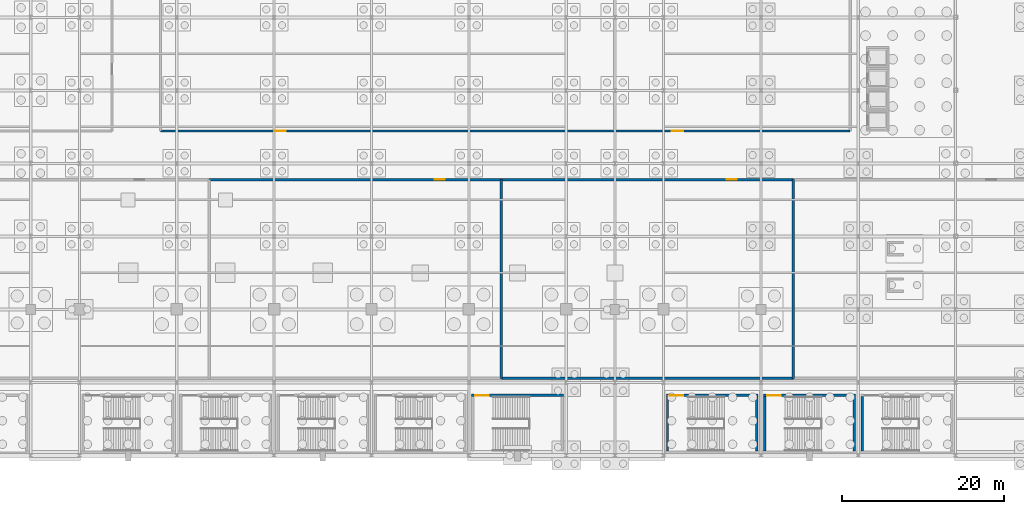
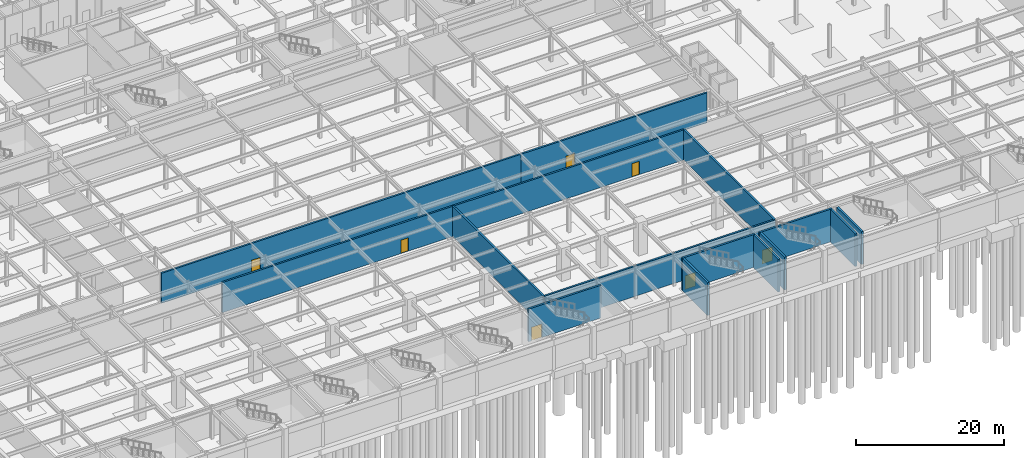
# One storey, part 27 of 47: 15 walls, 7 doors, 7 openings.
"""IFC4 building model written with IfcOpenShell, lengths in metres."""

from ifc_helpers import new_model, si_unit, direction, frame, frame_2d, origin, place, context, subcontext, project, spatial, rectangle, extrude, material, layer, layer_set, type_object, element, fill, save


model = new_model("IFC4")

# Units and contexts
model_context = context("Model", 3, precision=1e-05, world=origin(), true_north=direction((0.0, 1.0)))
body_context = subcontext(model_context, "Body", "Model", "MODEL_VIEW")
ifc_project = project(units=[si_unit("LENGTHUNIT", "METRE"), si_unit("AREAUNIT", "SQUARE_METRE"), si_unit("VOLUMEUNIT", "CUBIC_METRE"), si_unit("PLANEANGLEUNIT", "RADIAN"), si_unit("MASSUNIT", "GRAM", prefix="KILO")], contexts=[model_context])

# Site, building, storey
site_placement = place(None, origin())
site = spatial("IfcSite", under=ifc_project, at=site_placement, CompositionType="ELEMENT")
building_placement = place(site_placement, origin())
building = spatial("IfcBuilding", under=site, at=building_placement, Name="Kaldorvane Square Convention Centre", CompositionType="ELEMENT")
storey_placement = place(building_placement, frame((0.0, 0.0, -5.399993896484375)))
storey = spatial("IfcBuildingStorey", under=building, at=storey_placement, Name="B01", CompositionType="ELEMENT", Elevation=-5.399993896484375)

# Wall
ifc_material_1 = material(Name="Reinforced Concrete Masonry Acoustic Partition", Category="masonry")
ifc_layer_1 = layer(ifc_material_1, 0.279998779296875)
ifc_layer_set_1 = layer_set([ifc_layer_1], Name="Reinforced Concrete Masonry Acoustic Partition")
wall_type_1 = type_object("IfcWallType", Name="WL-ACO-280", PredefinedType="PARTITIONING", material=ifc_layer_set_1)
wall_1_placement = place(storey_placement, frame((82.0, 9.5, 0.0), z_axis=(0.0, 0.0, 1.0), x_axis=(0.0, 1.0, 0.0)))
element("IfcWall", 1, at=wall_1_placement, inside=storey, type_object=wall_type_1, Name="Condensing Boiler and Hydronic Pump Hall E Wall", PredefinedType="PARTITIONING", context=body_context, shape_type="SweptSolid", body=[
    extrude(rectangle(XDim=24.5, YDim=0.279998779296875, at=frame_2d((12.25, 0.0))), origin(), (0.0, 0.0, 1.0), 4.959991455078125),
])

# Wall, opening, door
wall_2_placement = place(storey_placement, frame((82.0, 34.0, 0.0), z_axis=(0.0, 0.0, 1.0), x_axis=(-1.0, 0.0, 0.0)))
wall_2 = element("IfcWall", 2, at=wall_2_placement, inside=storey, type_object=wall_type_1, Name="Condensing Boiler and Hydronic Pump Hall N Wall", PredefinedType="PARTITIONING", context=body_context, shape_type="SweptSolid", body=[
    extrude(rectangle(XDim=36.0, YDim=0.279998779296875, at=frame_2d((18.0, 0.0))), origin(), (0.0, 0.0, 1.0), 4.959991455078125),
])
opening_1_placement = place(wall_2_placement, frame((7.0, 0.0, 0.0)))
opening_1 = element("IfcOpeningElement", 3, at=opening_1_placement, cuts=wall_2, Name="Opening ID-14", PredefinedType="OPENING", context=body_context, shape_type="SweptSolid", body=[
    extrude(rectangle(XDim=1.1999969482421875, YDim=2.1999969482421875, at=frame_2d((0.600006103515625, 1.100006103515625))), frame((0.0, 0.154998779296875, 0.0), z_axis=(0.0, -1.0, 0.0), x_axis=(1.0, 0.0, 0.0)), (0.0, 0.0, 1.0), 0.30999755859375),
])
ifc_material_2 = material(Name="Insulated Hollow Metal Steel", Category="steel")
door_type_1 = type_object("IfcDoorType", Name="DR-PLANT-1200X2200", OperationType="SINGLE_SWING_LEFT", PredefinedType="DOOR", material=ifc_material_2)
door_1_placement = place(opening_1_placement, origin())
door_1 = element("IfcDoor", 4, at=door_1_placement, inside=storey, type_object=door_type_1, Name="Condensing Boiler and Hydronic Pump Hall Door 1", OperationType="SINGLE_SWING_LEFT", OverallHeight=2.1999969482421875, OverallWidth=1.1999969482421875, PredefinedType="DOOR", context=body_context, shape_type="SweptSolid", body=[
    extrude(rectangle(XDim=1.1999969482421875, YDim=2.1999969482421875, at=frame_2d((0.600006103515625, 1.100006103515625))), frame((0.0, 0.024993896484375, 0.0), z_axis=(0.0, -1.0, 0.0), x_axis=(1.0, 0.0, 0.0)), (0.0, 0.0, 1.0), 0.0500030517578125),
])
fill(opening_1, door_1)

# Walls
wall_3_placement = place(storey_placement, frame((82.0, 9.5, 0.0), z_axis=(0.0, 0.0, 1.0), x_axis=(1.0, 0.0, 0.0)))
element("IfcWall", 5, at=wall_3_placement, inside=storey, type_object=wall_type_1, Name="Primary 34.5 kV Electrical Substation and Switchgear S Wall", PredefinedType="PARTITIONING", context=body_context, shape_type="SweptSolid", body=[
    extrude(rectangle(XDim=36.0, YDim=0.279998779296875, at=frame_2d((18.0, 0.0))), origin(), (0.0, 0.0, 1.0), 4.959991455078125),
])
wall_4_placement = place(storey_placement, frame((118.0, 9.5, 0.0), z_axis=(0.0, 0.0, 1.0), x_axis=(0.0, 1.0, 0.0)))
element("IfcWall", 6, at=wall_4_placement, inside=storey, type_object=wall_type_1, Name="Primary 34.5 kV Electrical Substation and Switchgear E Wall", PredefinedType="PARTITIONING", context=body_context, shape_type="SweptSolid", body=[
    extrude(rectangle(XDim=24.5, YDim=0.279998779296875, at=frame_2d((12.25, 0.0))), origin(), (0.0, 0.0, 1.0), 4.959991455078125),
])

# Wall, opening, door
wall_5_placement = place(storey_placement, frame((118.0, 34.0, 0.0), z_axis=(0.0, 0.0, 1.0), x_axis=(-1.0, 0.0, 0.0)))
wall_5 = element("IfcWall", 7, at=wall_5_placement, inside=storey, type_object=wall_type_1, Name="Primary 34.5 kV Electrical Substation and Switchgear N Wall", PredefinedType="PARTITIONING", context=body_context, shape_type="SweptSolid", body=[
    extrude(rectangle(XDim=36.0, YDim=0.279998779296875, at=frame_2d((18.0, 0.0))), origin(), (0.0, 0.0, 1.0), 4.959991455078125),
])
opening_2_placement = place(wall_5_placement, frame((7.0, 0.0, 0.0)))
opening_2 = element("IfcOpeningElement", 8, at=opening_2_placement, cuts=wall_5, Name="Opening ID-14", PredefinedType="OPENING", context=body_context, shape_type="SweptSolid", body=[
    extrude(rectangle(XDim=1.1999969482421875, YDim=2.1999969482421875, at=frame_2d((0.600006103515625, 1.100006103515625))), frame((0.0, 0.154998779296875, 0.0), z_axis=(0.0, -1.0, 0.0), x_axis=(1.0, 0.0, 0.0)), (0.0, 0.0, 1.0), 0.30999755859375),
])
door_2_placement = place(opening_2_placement, origin())
door_2 = element("IfcDoor", 9, at=door_2_placement, inside=storey, type_object=door_type_1, Name="Primary 34.5 kV Electrical Substation and Switchgear Door 1", OperationType="SINGLE_SWING_LEFT", OverallHeight=2.1999969482421875, OverallWidth=1.1999969482421875, PredefinedType="DOOR", context=body_context, shape_type="SweptSolid", body=[
    extrude(rectangle(XDim=1.1999969482421875, YDim=2.1999969482421875, at=frame_2d((0.600006103515625, 1.100006103515625))), frame((0.0, 0.024993896484375, 0.0), z_axis=(0.0, -1.0, 0.0), x_axis=(1.0, 0.0, 0.0)), (0.0, 0.0, 1.0), 0.0500030517578125),
])
fill(opening_2, door_2)

wall_6_placement = place(storey_placement, frame((40.0, 40.0, 0.0), z_axis=(0.0, 0.0, 1.0), x_axis=(1.0, 0.0, 0.0)))
wall_6 = element("IfcWall", 10, at=wall_6_placement, inside=storey, type_object=wall_type_1, Name="Exhibition Crate Marshalling and Rigging Storage S Wall", PredefinedType="PARTITIONING", context=body_context, shape_type="SweptSolid", body=[
    extrude(rectangle(XDim=56.0, YDim=0.279998779296875, at=frame_2d((28.0, 0.0))), origin(), (0.0, 0.0, 1.0), 4.959991455078125),
])
opening_3_placement = place(wall_6_placement, frame((14.0, 0.0, 0.0)))
opening_3 = element("IfcOpeningElement", 11, at=opening_3_placement, cuts=wall_6, Name="Opening ID-08", PredefinedType="OPENING", context=body_context, shape_type="SweptSolid", body=[
    extrude(rectangle(XDim=1.399993896484375, YDim=2.1999969482421875, at=frame_2d((0.6999969482421875, 1.100006103515625))), frame((0.0, 0.154998779296875, 0.0), z_axis=(0.0, -1.0, 0.0), x_axis=(1.0, 0.0, 0.0)), (0.0, 0.0, 1.0), 0.30999755859375),
])
door_type_2 = type_object("IfcDoorType", Name="DR-SVC-1400X2200", OperationType="DOUBLE_DOOR_SINGLE_SWING", PredefinedType="DOOR", material=ifc_material_2)
door_3_placement = place(opening_3_placement, origin())
door_3 = element("IfcDoor", 12, at=door_3_placement, inside=storey, type_object=door_type_2, Name="Exhibition Crate Marshalling and Rigging Storage Door 1", OperationType="DOUBLE_DOOR_SINGLE_SWING", OverallHeight=2.1999969482421875, OverallWidth=1.399993896484375, PredefinedType="DOOR", context=body_context, shape_type="SweptSolid", body=[
    extrude(rectangle(XDim=1.399993896484375, YDim=2.1999969482421875, at=frame_2d((0.6999969482421875, 1.100006103515625))), frame((0.0, 0.024993896484375, 0.0), z_axis=(0.0, -1.0, 0.0), x_axis=(1.0, 0.0, 0.0)), (0.0, 0.0, 1.0), 0.0500030517578125),
])
fill(opening_3, door_3)

wall_7_placement = place(storey_placement, frame((96.0, 40.0, 0.0), z_axis=(0.0, 0.0, 1.0), x_axis=(1.0, 0.0, 0.0)))
wall_7 = element("IfcWall", 13, at=wall_7_placement, inside=storey, type_object=wall_type_1, Name="Central Banquet Commissary Kitchen S Wall", PredefinedType="PARTITIONING", context=body_context, shape_type="SweptSolid", body=[
    extrude(rectangle(XDim=29.0, YDim=0.279998779296875, at=frame_2d((14.5, 0.0))), origin(), (0.0, 0.0, 1.0), 4.959991455078125),
])
opening_4_placement = place(wall_7_placement, frame((7.0, 0.0, 0.0)))
opening_4 = element("IfcOpeningElement", 14, at=opening_4_placement, cuts=wall_7, Name="Opening ID-08", PredefinedType="OPENING", context=body_context, shape_type="SweptSolid", body=[
    extrude(rectangle(XDim=1.399993896484375, YDim=2.1999969482421875, at=frame_2d((0.6999969482421875, 1.100006103515625))), frame((0.0, 0.154998779296875, 0.0), z_axis=(0.0, -1.0, 0.0), x_axis=(1.0, 0.0, 0.0)), (0.0, 0.0, 1.0), 0.30999755859375),
])
door_4_placement = place(opening_4_placement, origin())
door_4 = element("IfcDoor", 15, at=door_4_placement, inside=storey, type_object=door_type_2, Name="Central Banquet Commissary Kitchen Door 1", OperationType="DOUBLE_DOOR_SINGLE_SWING", OverallHeight=2.1999969482421875, OverallWidth=1.399993896484375, PredefinedType="DOOR", context=body_context, shape_type="SweptSolid", body=[
    extrude(rectangle(XDim=1.399993896484375, YDim=2.1999969482421875, at=frame_2d((0.6999969482421875, 1.100006103515625))), frame((0.0, 0.024993896484375, 0.0), z_axis=(0.0, -1.0, 0.0), x_axis=(1.0, 0.0, 0.0)), (0.0, 0.0, 1.0), 0.0500030517578125),
])
fill(opening_4, door_4)

ifc_material_3 = material(Name="Concrete f'c = 55 MPa (Normalweight)", Category="concrete")
ifc_layer_2 = layer(ifc_material_3, 0.3000030517578125)
ifc_layer_set_2 = layer_set([ifc_layer_2], Name="Concrete f'c = 55 MPa (Normalweight)")
wall_type_2 = type_object("IfcWallType", Name="WL-SHAFT-300", PredefinedType="SHEAR", material=ifc_layer_set_2)
wall_8_placement = place(storey_placement, frame((89.66000366210938, 7.410003662109375, 0.0), z_axis=(0.0, 0.0, 1.0), x_axis=(-1.0, 0.0, 0.0)))
wall_8 = element("IfcWall", 16, at=wall_8_placement, inside=storey, type_object=wall_type_2, Name="Core Enclosure Wall stair:ST-C7-N (B01)", PredefinedType="SHEAR", context=body_context, shape_type="SweptSolid", body=[
    extrude(rectangle(XDim=11.32000732421875, YDim=0.3000030517578125, at=frame_2d((5.660003662109375, 0.0))), origin(), (0.0, 0.0, 1.0), 5.399993896484375),
])
opening_5_placement = place(wall_8_placement, frame((9.220001220703125, 0.0, 0.0)))
opening_5 = element("IfcOpeningElement", 17, at=opening_5_placement, cuts=wall_8, Name="Opening FD90-S2", PredefinedType="OPENING", context=body_context, shape_type="SweptSolid", body=[
    extrude(rectangle(XDim=1.649993896484375, YDim=2.25, at=frame_2d((0.8249969482421875, 1.125))), frame((0.0, 0.165008544921875, 0.0), z_axis=(0.0, -1.0, 0.0), x_axis=(1.0, 0.0, 0.0)), (0.0, 0.0, 1.0), 0.3300018310546875),
])
ifc_material_4 = material(Name="Fire-Rated Hollow Metal Steel", Category="steel")
door_type_3 = type_object("IfcDoorType", Name="DR-STAIR-1650", OperationType="DOUBLE_DOOR_SINGLE_SWING", PredefinedType="DOOR", material=ifc_material_4)
door_5_placement = place(opening_5_placement, origin())
door_5 = element("IfcDoor", 18, at=door_5_placement, inside=storey, type_object=door_type_3, Name="Convention Exit Stair C7 Fire Door (B01)", OperationType="DOUBLE_DOOR_SINGLE_SWING", OverallHeight=2.25, OverallWidth=1.649993896484375, PredefinedType="DOOR", context=body_context, shape_type="SweptSolid", body=[
    extrude(rectangle(XDim=1.649993896484375, YDim=2.25, at=frame_2d((0.8249969482421875, 1.125))), frame((0.0, 0.024993896484375, 0.0), z_axis=(0.0, -1.0, 0.0), x_axis=(1.0, 0.0, 0.0)), (0.0, 0.0, 1.0), 0.0500030517578125),
])
fill(opening_5, door_5)

wall_9_placement = place(storey_placement, frame((113.66000366210938, 7.410003662109375, 0.0), z_axis=(0.0, 0.0, 1.0), x_axis=(-1.0, 0.0, 0.0)))
wall_9 = element("IfcWall", 19, at=wall_9_placement, inside=storey, type_object=wall_type_2, Name="Core Enclosure Wall stair:ST-C8-N (B01)", PredefinedType="SHEAR", context=body_context, shape_type="SweptSolid", body=[
    extrude(rectangle(XDim=11.32000732421875, YDim=0.3000030517578125, at=frame_2d((5.660003662109375, 0.0))), origin(), (0.0, 0.0, 1.0), 5.399993896484375),
])
opening_6_placement = place(wall_9_placement, frame((9.220001220703125, 0.0, 0.0)))
opening_6 = element("IfcOpeningElement", 20, at=opening_6_placement, cuts=wall_9, Name="Opening FD90-S2", PredefinedType="OPENING", context=body_context, shape_type="SweptSolid", body=[
    extrude(rectangle(XDim=1.649993896484375, YDim=2.25, at=frame_2d((0.8249969482421875, 1.125))), frame((0.0, 0.165008544921875, 0.0), z_axis=(0.0, -1.0, 0.0), x_axis=(1.0, 0.0, 0.0)), (0.0, 0.0, 1.0), 0.3300018310546875),
])
door_6_placement = place(opening_6_placement, origin())
door_6 = element("IfcDoor", 21, at=door_6_placement, inside=storey, type_object=door_type_3, Name="Convention Exit Stair C8 Fire Door (B01)", OperationType="DOUBLE_DOOR_SINGLE_SWING", OverallHeight=2.25, OverallWidth=1.649993896484375, PredefinedType="DOOR", context=body_context, shape_type="SweptSolid", body=[
    extrude(rectangle(XDim=1.649993896484375, YDim=2.25, at=frame_2d((0.8249969482421875, 1.125))), frame((0.0, 0.024993896484375, 0.0), z_axis=(0.0, -1.0, 0.0), x_axis=(1.0, 0.0, 0.0)), (0.0, 0.0, 1.0), 0.0500030517578125),
])
fill(opening_6, door_6)

# Walls
for number, where, z_axis, x_axis, name in (
    (22, (102.49000549316406, 7.2599945068359375, 0.0), (0.0, 0.0, 1.0), (0.0, -1.0, 0.0), "Core Enclosure Wall stair:ST-C8-W (B01)"),
    (23, (113.50999450683594, 0.5500030517578125, 0.0), (0.0, 0.0, 1.0), (0.0, 1.0, 0.0), "Core Enclosure Wall stair:ST-C8-E (B01)"),
):
    element("IfcWall", number, at=place(storey_placement, frame(where, z_axis=z_axis, x_axis=x_axis)), inside=storey, type_object=wall_type_2, Name=name, PredefinedType="SHEAR", context=body_context, shape_type="SweptSolid", body=[
        extrude(rectangle(XDim=6.709991455078125, YDim=0.3000030517578125, at=frame_2d((3.3549957275390625, 0.0))), origin(), (0.0, 0.0, 1.0), 5.399993896484375),
    ])

# Wall, opening, door
wall_10_placement = place(storey_placement, frame((125.66000366210938, 7.410003662109375, 0.0), z_axis=(0.0, 0.0, 1.0), x_axis=(-1.0, 0.0, 0.0)))
wall_10 = element("IfcWall", 24, at=wall_10_placement, inside=storey, type_object=wall_type_2, Name="Core Enclosure Wall stair:ST-C9-N (B01)", PredefinedType="SHEAR", context=body_context, shape_type="SweptSolid", body=[
    extrude(rectangle(XDim=11.32000732421875, YDim=0.3000030517578125, at=frame_2d((5.660003662109375, 0.0))), origin(), (0.0, 0.0, 1.0), 5.399993896484375),
])
opening_7_placement = place(wall_10_placement, frame((9.220001220703125, 0.0, 0.0)))
opening_7 = element("IfcOpeningElement", 25, at=opening_7_placement, cuts=wall_10, Name="Opening FD90-S2", PredefinedType="OPENING", context=body_context, shape_type="SweptSolid", body=[
    extrude(rectangle(XDim=1.649993896484375, YDim=2.25, at=frame_2d((0.8249969482421875, 1.125))), frame((0.0, 0.165008544921875, 0.0), z_axis=(0.0, -1.0, 0.0), x_axis=(1.0, 0.0, 0.0)), (0.0, 0.0, 1.0), 0.3300018310546875),
])
door_7_placement = place(opening_7_placement, origin())
door_7 = element("IfcDoor", 26, at=door_7_placement, inside=storey, type_object=door_type_3, Name="Convention Exit Stair C9 Fire Door (B01)", OperationType="DOUBLE_DOOR_SINGLE_SWING", OverallHeight=2.25, OverallWidth=1.649993896484375, PredefinedType="DOOR", context=body_context, shape_type="SweptSolid", body=[
    extrude(rectangle(XDim=1.649993896484375, YDim=2.25, at=frame_2d((0.8249969482421875, 1.125))), frame((0.0, 0.024993896484375, 0.0), z_axis=(0.0, -1.0, 0.0), x_axis=(1.0, 0.0, 0.0)), (0.0, 0.0, 1.0), 0.0500030517578125),
])
fill(opening_7, door_7)

# Walls
for number, where, z_axis, x_axis, name in (
    (27, (114.49000549316406, 7.2599945068359375, 0.0), (0.0, 0.0, 1.0), (0.0, -1.0, 0.0), "Core Enclosure Wall stair:ST-C9-W (B01)"),
    (28, (125.50999450683594, 0.5500030517578125, 0.0), (0.0, 0.0, 1.0), (0.0, 1.0, 0.0), "Core Enclosure Wall stair:ST-C9-E (B01)"),
    (29, (126.49000549316406, 7.2599945068359375, 0.0), (0.0, 0.0, 1.0), (0.0, -1.0, 0.0), "Core Enclosure Wall stair:ST-C10-W (B01)"),
):
    element("IfcWall", number, at=place(storey_placement, frame(where, z_axis=z_axis, x_axis=x_axis)), inside=storey, type_object=wall_type_2, Name=name, PredefinedType="SHEAR", context=body_context, shape_type="SweptSolid", body=[
        extrude(rectangle(XDim=6.709991455078125, YDim=0.3000030517578125, at=frame_2d((3.3549957275390625, 0.0))), origin(), (0.0, 0.0, 1.0), 5.399993896484375),
    ])

save(model, "model.ifc")
